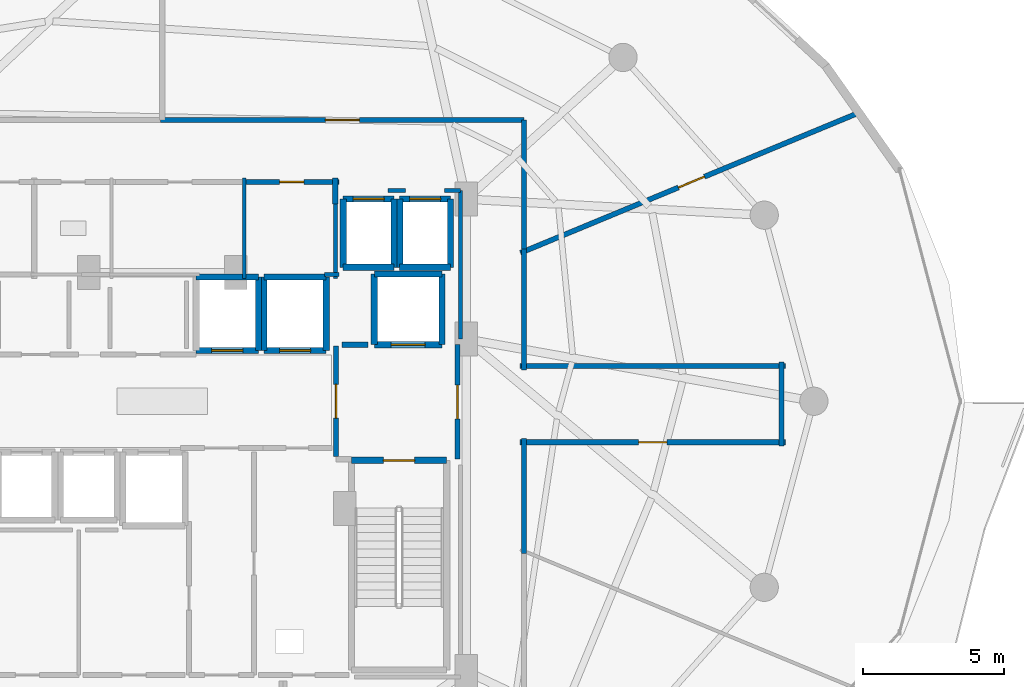
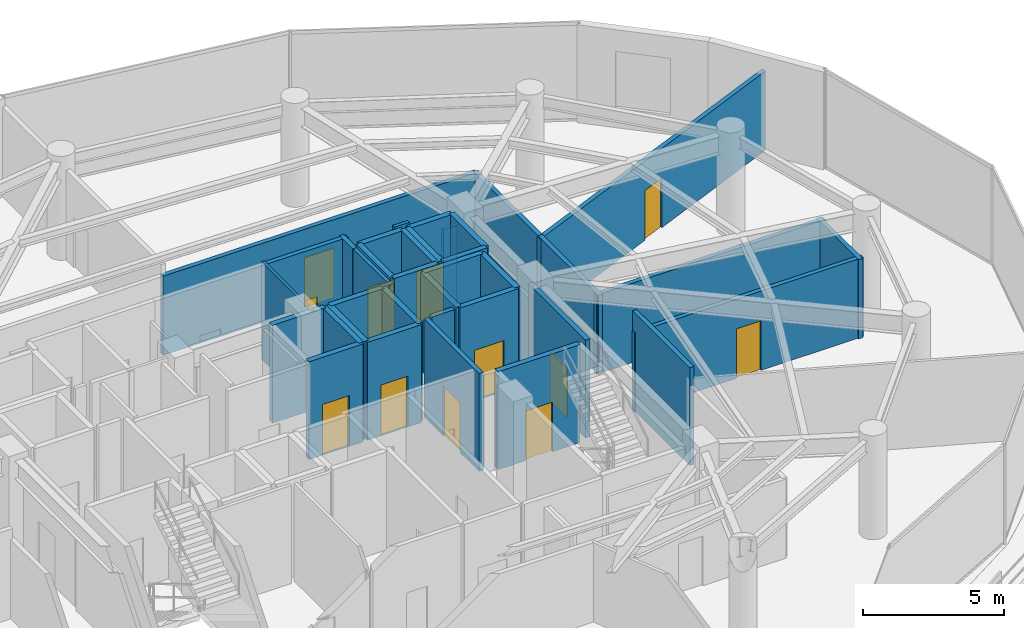
# One storey, part 26 of 31: 39 walls, 12 doors, 12 openings.
"""IFC4 building model written with IfcOpenShell, lengths in metres."""

import ifcopenshell
import ifcopenshell.guid

model = None  # the IFC model being written
_history = None  # IfcOwnerHistory: only IFC2X3 demands one
_inside = {}  # id of a spatial element -> (the spatial element, [elements in it])
_under = {}  # id of a project, library or spatial element -> (it, [spatial elements below it])
_declared = {}  # id of a project -> (the project, [libraries it declares])
_typed = {}  # id of a type object -> (the type object, [elements of that type])
_made_of = {}  # id of a material, layer set ... -> (it, [elements and type objects made of it])


def new_model(schema):
    """Start an empty IFC model of exactly this schema.

    Asked for "IFC4X3", IfcOpenShell would pick the latest addendum, in which some entities
    have other attributes; the version numbers below select the first issue.
    IFC2X3 requires an IfcOwnerHistory on every rooted entity: one is made here for all.
    """
    global model, _history
    if schema == "IFC4X3":
        model = ifcopenshell.file(schema_version=(4, 3, 0, 0))
    else:
        model = ifcopenshell.file(schema=schema)
    _inside.clear()
    _under.clear()
    _declared.clear()
    _typed.clear()
    _made_of.clear()
    _history = None
    if model.schema == "IFC2X3":
        org = make("IfcOrganization", Name="unknown")
        user = make(
            "IfcPersonAndOrganization",
            ThePerson=make("IfcPerson", FamilyName="unknown"),
            TheOrganization=org,
        )
        app = make(
            "IfcApplication",
            ApplicationDeveloper=org,
            Version="unknown",
            ApplicationFullName="unknown",
            ApplicationIdentifier="unknown",
        )
        _history = make(
            "IfcOwnerHistory",
            OwningUser=user,
            OwningApplication=app,
            ChangeAction="ADDED",
            CreationDate=0,
        )
    return model


def make(cls, **values):
    """One entity of the class cls with the attributes given. An attribute that is None is left unset."""
    return model.create_entity(
        cls, **{name: value for name, value in values.items() if value is not None}
    )


def rooted(cls, **values):
    """An entity with a GlobalId (a new one), such as an element, a storey or a relation."""
    return make(cls, GlobalId=ifcopenshell.guid.new(), OwnerHistory=_history, **values)


def si_unit(unit_type, name, prefix=None):
    """IfcSIUnit, for example si_unit("LENGTHUNIT", "METRE", prefix="MILLI")."""
    return make("IfcSIUnit", UnitType=unit_type, Prefix=prefix, Name=name)


def assignment(units):
    """IfcUnitAssignment: the units of a project."""
    return None if units is None else make("IfcUnitAssignment", Units=units)


def point(xyz):
    """IfcCartesianPoint."""
    return None if xyz is None else make("IfcCartesianPoint", Coordinates=xyz)


def direction(xyz):
    """IfcDirection."""
    return None if xyz is None else make("IfcDirection", DirectionRatios=xyz)


def frame(location, z_axis=None, x_axis=None):
    """IfcAxis2Placement3D, a coordinate frame: its origin and axes. An axis left out is left unset."""
    return make(
        "IfcAxis2Placement3D",
        Location=point(location),
        Axis=direction(z_axis),
        RefDirection=direction(x_axis),
    )


def frame_2d(location, x_axis=None):
    """IfcAxis2Placement2D, a coordinate frame in the plane: its origin and x axis."""
    return make(
        "IfcAxis2Placement2D", Location=point(location), RefDirection=direction(x_axis)
    )


def origin():
    """The frame at (0, 0, 0) with its axes left unset."""
    return frame((0.0, 0.0, 0.0))


def place(relative_to, where):
    """IfcLocalPlacement: puts the frame where relative to a parent placement (None: the world)."""
    return make(
        "IfcLocalPlacement", PlacementRelTo=relative_to, RelativePlacement=where
    )


def context(
    kind, dimensions, precision=None, world=None, true_north=None, identifier=None
):
    """IfcGeometricRepresentationContext, for example the 3D "Model" context."""
    return make(
        "IfcGeometricRepresentationContext",
        ContextIdentifier=identifier,
        ContextType=kind,
        CoordinateSpaceDimension=dimensions,
        Precision=precision,
        WorldCoordinateSystem=world,
        TrueNorth=true_north,
    )


def subcontext(parent, identifier, kind, view, scale=None):
    """IfcGeometricRepresentationSubContext, for example "Body" below "Model"."""
    return make(
        "IfcGeometricRepresentationSubContext",
        ContextIdentifier=identifier,
        ContextType=kind,
        ParentContext=parent,
        TargetScale=scale,
        TargetView=view,
    )


def project(units=None, contexts=None):
    """IfcProject with its units and contexts."""
    return rooted(
        "IfcProject",
        Name="project",
        RepresentationContexts=contexts,
        UnitsInContext=assignment(units),
    )


def spatial(cls, under=None, at=None, **own):
    """A site, building, storey or space (cls), placed at a placement, below another one or the project."""
    s = rooted(cls, ObjectPlacement=at, **own)
    if under is not None:
        _under.setdefault(under.id(), (under, []))[1].append(s)
    return s


def profile(cls, at=None, kind="AREA", **sizes):
    """A parametric profile (cls). Its sizes go by their IFC names, for example OverallWidth=200.0."""
    return make(cls, ProfileType=kind, Position=at, **sizes)


def rectangle(**sizes):
    """IfcRectangleProfileDef."""
    return profile("IfcRectangleProfileDef", **sizes)


def extrude(swept, where, along, depth):
    """IfcExtrudedAreaSolid: the profile swept, set in the frame where, extruded along a direction by depth."""
    return make(
        "IfcExtrudedAreaSolid",
        SweptArea=swept,
        Position=where,
        ExtrudedDirection=direction(along),
        Depth=depth,
    )


def shape(context_of_items, identifier, shape_type, items):
    """IfcShapeRepresentation: the items that make up one representation, for example the "Body"."""
    return make(
        "IfcShapeRepresentation",
        ContextOfItems=context_of_items,
        RepresentationIdentifier=identifier,
        RepresentationType=shape_type,
        Items=items,
    )


def material(Name=None, Category=None):
    """IfcMaterial."""
    return make("IfcMaterial", Name=Name, Category=Category)


def layer(
    of_material, thickness, ventilated=None, Name=None, Category=None, Priority=None
):
    """IfcMaterialLayer: one layer of a wall or slab, of a material (None: an air gap)."""
    return make(
        "IfcMaterialLayer",
        Material=of_material,
        LayerThickness=thickness,
        IsVentilated=ventilated,
        Name=Name,
        Category=Category,
        Priority=Priority,
    )


def layer_set(layers, Name=None):
    """IfcMaterialLayerSet."""
    return make("IfcMaterialLayerSet", MaterialLayers=layers, LayerSetName=Name)


def made_of(thing, what):
    """Note that an element or type object is made of a material, layer set ...; save() writes the relation."""
    if what is not None:
        _made_of.setdefault(what.id(), (what, []))[1].append(thing)
    return thing


def type_object(cls, material=None, **own):
    """A type object (cls), such as IfcWallType, which elements share."""
    return made_of(rooted(cls, **own), material)


def element(
    cls,
    number,
    at=None,
    inside=None,
    cuts=None,
    type_object=None,
    material=None,
    context=None,
    identifier="Body",
    shape_type=None,
    held_by="IfcProductDefinitionShape",
    body=None,
    shapes=None,
    **own,
):
    """One element of the class cls, such as IfcWall. Its Tag is "e" and its number.

    at: its placement. inside: the storey or other place that contains it. cuts: it is an
    opening in that element (IfcRelVoidsElement). A single representation is given by context,
    identifier, shape_type and body (its items); several are given by shapes. held_by: the class
    of the entity that holds the representations. save() writes the other relations.
    """
    e = rooted(cls, Tag="e%d" % number, ObjectPlacement=at, **own)
    if body is not None:
        shapes = [shape(context, identifier, shape_type, body)]
    if shapes is not None:
        e.Representation = make(held_by, Representations=shapes)
    if inside is not None:
        _inside.setdefault(inside.id(), (inside, []))[1].append(e)
    if cuts is not None:
        rooted(
            "IfcRelVoidsElement", RelatingBuildingElement=cuts, RelatedOpeningElement=e
        )
    if type_object is not None:
        _typed.setdefault(type_object.id(), (type_object, []))[1].append(e)
    return made_of(e, material)


def fill(opening, filler):
    """IfcRelFillsElement: the door or window that sits in an opening."""
    return rooted(
        "IfcRelFillsElement",
        RelatingOpeningElement=opening,
        RelatedBuildingElement=filler,
    )


def aggregate(whole, parts):
    """IfcRelAggregates: a whole, such as a stair, and the parts it consists of."""
    return rooted("IfcRelAggregates", RelatingObject=whole, RelatedObjects=parts)


def save(model, path):
    """Write the relations noted so far, then the file.

    IfcRelAggregates (storeys below a building ...), IfcRelContainedInSpatialStructure (elements
    in a storey), IfcRelDefinesByType, IfcRelAssociatesMaterial and IfcRelDeclares: one each for
    every whole, place, type object, material and project.
    """
    for whole, parts in _under.values():
        aggregate(whole, parts)
    for where, things in _inside.values():
        rooted(
            "IfcRelContainedInSpatialStructure",
            RelatedElements=things,
            RelatingStructure=where,
        )
    for kind, things in _typed.values():
        rooted("IfcRelDefinesByType", RelatedObjects=things, RelatingType=kind)
    for what, things in _made_of.values():
        rooted("IfcRelAssociatesMaterial", RelatedObjects=things, RelatingMaterial=what)
    for by, libraries in _declared.values():
        rooted("IfcRelDeclares", RelatingContext=by, RelatedDefinitions=libraries)
    model.write(path)


model = new_model("IFC4")

# Units and contexts
model_context = context("Model", 3, precision=1e-05, world=origin(), true_north=direction((0.0, 1.0)))
body_context = subcontext(model_context, "Body", "Model", "MODEL_VIEW")
ifc_project = project(units=[si_unit("LENGTHUNIT", "METRE"), si_unit("AREAUNIT", "SQUARE_METRE"), si_unit("VOLUMEUNIT", "CUBIC_METRE"), si_unit("PLANEANGLEUNIT", "RADIAN"), si_unit("MASSUNIT", "GRAM", prefix="KILO")], contexts=[model_context])

# Site, building, storey
site_placement = place(None, origin())
site = spatial("IfcSite", under=ifc_project, at=site_placement, CompositionType="ELEMENT")
building_placement = place(site_placement, origin())
building = spatial("IfcBuilding", under=site, at=building_placement, Name="Vorneva Point Tower", CompositionType="ELEMENT")
storey_placement = place(building_placement, frame((0.0, 0.0, 174.60009765625)))
storey = spatial("IfcBuildingStorey", under=building, at=storey_placement, Name="L47", CompositionType="ELEMENT", Elevation=174.60009765625)

# Wall, opening, door
ifc_material_1 = material(Name="Concrete B60 (C50/60)", Category="concrete")
ifc_layer_1 = layer(ifc_material_1, 0.5)
ifc_layer_set_1 = layer_set([ifc_layer_1], Name="Concrete B60 (C50/60)")
wall_type_1 = type_object("IfcWallType", Name="WL-CORE-500", PredefinedType="SHEAR", material=ifc_layer_set_1)
wall_1_placement = place(storey_placement, frame((45.5, 28.0, 0.0), z_axis=(0.0, 0.0, 1.0), x_axis=(1.0, 0.0, 0.0)))
wall_1 = element("IfcWall", 1, at=wall_1_placement, inside=storey, type_object=wall_type_1, Name="L47 Lift FFL2 Shaft Wall -Y", PredefinedType="SHEAR", context=body_context, shape_type="SweptSolid", body=[
    extrude(rectangle(XDim=2.39990234375, YDim=0.219970703125, at=frame_2d((1.199951171875, 0.0))), origin(), (0.0, 0.0, 1.0), 4.239990234375),
])
opening_1_placement = place(wall_1_placement, frame((0.60009765625, 0.0, 0.0)))
opening_1 = element("IfcOpeningElement", 2, at=opening_1_placement, cuts=wall_1, Name="Opening LD-02", PredefinedType="OPENING", context=body_context, shape_type="SweptSolid", body=[
    extrude(rectangle(XDim=1.199951171875, YDim=2.199951171875, at=frame_2d((0.60009765625, 1.10009765625))), frame((0.0, 0.125, 0.0), z_axis=(0.0, -1.0, 0.0), x_axis=(1.0, 0.0, 0.0)), (0.0, 0.0, 1.0), 0.249755859375),
])
ifc_material_2 = material(Name="Brushed stainless steel S304", Category="steel")
door_type_1 = type_object("IfcDoorType", Name="LD-FIRE-1200", OperationType="SLIDING_TO_LEFT", PredefinedType="DOOR", material=ifc_material_2)
door_1_placement = place(opening_1_placement, origin())
door_1 = element("IfcDoor", 3, at=door_1_placement, inside=storey, type_object=door_type_1, Name="L47 Lift FFL2 Sliding Landing Door", OperationType="SLIDING_TO_LEFT", OverallHeight=2.199951171875, OverallWidth=1.199951171875, PredefinedType="DOOR", context=body_context, shape_type="SweptSolid", body=[
    extrude(rectangle(XDim=1.199951171875, YDim=2.199951171875, at=frame_2d((0.60009765625, 1.10009765625))), frame((0.0, 0.02490234375, 0.0), z_axis=(0.0, -1.0, 0.0), x_axis=(1.0, 0.0, 0.0)), (0.0, 0.0, 1.0), 0.050048828125),
])
fill(opening_1, door_1)

# Walls
wall_2_placement = place(storey_placement, frame((47.89990234375, 28.0, 0.0), z_axis=(0.0, 0.0, 1.0), x_axis=(0.0, 1.0, 0.0)))
element("IfcWall", 4, at=wall_2_placement, inside=storey, type_object=wall_type_1, Name="L47 Lift FFL2 Shaft Wall +X", PredefinedType="SHEAR", context=body_context, shape_type="SweptSolid", body=[
    extrude(rectangle(XDim=2.5, YDim=0.219970703125, at=frame_2d((1.25, 0.0))), origin(), (0.0, 0.0, 1.0), 4.239990234375),
])
wall_3_placement = place(storey_placement, frame((47.89990234375, 30.5, 0.0), z_axis=(0.0, 0.0, 1.0), x_axis=(-1.0, 0.0, 0.0)))
element("IfcWall", 5, at=wall_3_placement, inside=storey, type_object=wall_type_1, Name="L47 Lift FFL2 Shaft Wall +Y", PredefinedType="SHEAR", context=body_context, shape_type="SweptSolid", body=[
    extrude(rectangle(XDim=2.39990234375, YDim=0.219970703125, at=frame_2d((1.199951171875, 0.0))), origin(), (0.0, 0.0, 1.0), 4.239990234375),
])
wall_4_placement = place(storey_placement, frame((45.5, 30.5, 0.0), z_axis=(0.0, 0.0, 1.0), x_axis=(0.0, -1.0, 0.0)))
element("IfcWall", 6, at=wall_4_placement, inside=storey, type_object=wall_type_1, Name="L47 Lift FFL2 Shaft Wall -X", PredefinedType="SHEAR", context=body_context, shape_type="SweptSolid", body=[
    extrude(rectangle(XDim=2.5, YDim=0.219970703125, at=frame_2d((1.25, 0.0))), origin(), (0.0, 0.0, 1.0), 4.239990234375),
])
ifc_material_3 = material(Name="Fire-rated acoustic gypsum stud partition", Category="gypsum")
ifc_layer_2 = layer(ifc_material_3, 0.110107421875)
ifc_layer_set_2 = layer_set([ifc_layer_2], Name="Fire-rated acoustic gypsum stud partition")
wall_type_2 = type_object("IfcWallType", Name="WL-PART-110", PredefinedType="PARTITIONING", material=ifc_layer_set_2)
wall_5_placement = place(storey_placement, frame((40.89990234375, 30.340087890625, 0.0), z_axis=(0.0, 0.0, 1.0), x_axis=(0.0, 1.0, 0.0)))
element("IfcWall", 7, at=wall_5_placement, inside=storey, type_object=wall_type_2, Name="L47 Interior Partition 021", PredefinedType="PARTITIONING", context=body_context, shape_type="SweptSolid", body=[
    extrude(rectangle(XDim=3.559814453125, YDim=0.110107421875, at=frame_2d((1.77978515625, 0.0))), origin(), (0.0, 0.0, 1.0), 4.239990234375),
])
ifc_layer_3 = layer(ifc_material_3, 0.139892578125)
ifc_layer_set_3 = layer_set([ifc_layer_3], Name="Fire-rated acoustic gypsum stud partition")
wall_type_3 = type_object("IfcWallType", Name="WL-PART-140", PredefinedType="PARTITIONING", material=ifc_layer_set_3)
wall_6_placement = place(storey_placement, frame((43.735107421875, 30.47998046875, 0.0), z_axis=(0.0, 0.0, 1.0), x_axis=(1.0, 0.0, 0.0)))
element("IfcWall", 8, at=wall_6_placement, inside=storey, type_object=wall_type_3, Name="L47 Interior Closure Partition 057", PredefinedType="PARTITIONING", context=body_context, shape_type="SweptSolid", body=[
    extrude(rectangle(XDim=0.52490234375, YDim=0.139892578125, at=frame_2d((0.262451171875, 0.0))), origin(), (0.0, 0.0, 1.0), 4.239990234375),
])
wall_7_placement = place(storey_placement, frame((44.1201171875, 30.340087890625, 0.0), z_axis=(0.0, 0.0, 1.0), x_axis=(0.0, 1.0, 0.0)))
element("IfcWall", 9, at=wall_7_placement, inside=storey, type_object=wall_type_3, Name="L47 Interior Closure Partition 058", PredefinedType="PARTITIONING", context=body_context, shape_type="SweptSolid", body=[
    extrude(rectangle(XDim=2.659912109375, YDim=0.139892578125, at=frame_2d((1.330078125, 0.0))), origin(), (0.0, 0.0, 1.0), 4.239990234375),
])
wall_8_placement = place(storey_placement, frame((48.550048828125, 28.196044921875, 0.0), z_axis=(0.0, 0.0, 1.0), x_axis=(0.0, 1.0, 0.0)))
element("IfcWall", 10, at=wall_8_placement, inside=storey, type_object=wall_type_3, Name="L47 Interior Closure Partition 066", PredefinedType="PARTITIONING", context=body_context, shape_type="SweptSolid", body=[
    extrude(rectangle(XDim=5.25390625, YDim=0.139892578125, at=frame_2d((2.626953125, 0.0))), origin(), (0.0, 0.0, 1.0), 3.431884765625),
])
wall_9_placement = place(storey_placement, frame((48.550048828125, 33.449951171875, 0.0), z_axis=(0.0, 0.0, 1.0), x_axis=(-1.0, 0.0, 0.0)))
element("IfcWall", 11, at=wall_9_placement, inside=storey, type_object=wall_type_3, Name="L47 Interior Closure Partition 067", PredefinedType="PARTITIONING", context=body_context, shape_type="SweptSolid", body=[
    extrude(rectangle(XDim=0.55908203125, YDim=0.139892578125, at=frame_2d((0.279541015625, 0.0))), origin(), (0.0, 0.0, 1.0), 3.431884765625),
])
wall_10_placement = place(storey_placement, frame((46.60888671875, 33.449951171875, 0.0), z_axis=(0.0, 0.0, 1.0), x_axis=(-1.0, 0.0, 0.0)))
element("IfcWall", 12, at=wall_10_placement, inside=storey, type_object=wall_type_3, Name="L47 Interior Closure Partition 068", PredefinedType="PARTITIONING", context=body_context, shape_type="SweptSolid", body=[
    extrude(rectangle(XDim=0.617919921875, YDim=0.139892578125, at=frame_2d((0.30908203125, 0.0))), origin(), (0.0, 0.0, 1.0), 4.239990234375),
])

# Wall, opening, door
ifc_material_4 = material(Name="Autoclaved aerated concrete blockwork", Category="masonry")
ifc_layer_4 = layer(ifc_material_4, 0.179931640625)
ifc_layer_set_4 = layer_set([ifc_layer_4], Name="Autoclaved aerated concrete blockwork")
wall_type_4 = type_object("IfcWallType", Name="WL-PART-180", PredefinedType="PARTITIONING", material=ifc_layer_set_4)
wall_11_placement = place(storey_placement, frame((44.14990234375, 27.955078125, 0.0), z_axis=(0.0, 0.0, 1.0), x_axis=(0.0, -1.0, 0.0)))
wall_11 = element("IfcWall", 13, at=wall_11_placement, inside=storey, type_object=wall_type_4, Name="L47 Interior Partition 003", PredefinedType="PARTITIONING", context=body_context, shape_type="SweptSolid", body=[
    extrude(rectangle(XDim=3.91015625, YDim=0.179931640625, at=frame_2d((1.955078125, 0.0))), origin(), (0.0, 0.0, 1.0), 4.239990234375),
])
opening_2_placement = place(wall_11_placement, frame((1.35498046875, 0.0, 0.0)))
opening_2 = element("IfcOpeningElement", 14, at=opening_2_placement, cuts=wall_11, Name="Opening FD-02", PredefinedType="OPENING", context=body_context, shape_type="SweptSolid", body=[
    extrude(rectangle(XDim=1.199951171875, YDim=2.14990234375, at=frame_2d((0.60009765625, 1.074951171875))), frame((0.0, 0.10498046875, 0.0), z_axis=(0.0, -1.0, 0.0), x_axis=(1.0, 0.0, 0.0)), (0.0, 0.0, 1.0), 0.209716796875),
])
ifc_material_5 = material(Name="Fire-rated powder-coated steel", Category="steel")
door_type_2 = type_object("IfcDoorType", Name="DR-FFL-1200", OperationType="NOTDEFINED", PredefinedType="DOOR", material=ifc_material_5)
door_2_placement = place(opening_2_placement, origin())
door_2 = element("IfcDoor", 15, at=door_2_placement, inside=storey, type_object=door_type_2, Name="L47 Door East Firefighting Lobby / Central Lift Lobby", OperationType="SINGLE_SWING_LEFT", OverallHeight=2.14990234375, OverallWidth=1.199951171875, PredefinedType="DOOR", context=body_context, shape_type="SweptSolid", body=[
    extrude(rectangle(XDim=1.199951171875, YDim=2.14990234375, at=frame_2d((0.60009765625, 1.074951171875))), frame((0.0, 0.02490234375, 0.0), z_axis=(0.0, -1.0, 0.0), x_axis=(1.0, 0.0, 0.0)), (0.0, 0.0, 1.0), 0.050048828125),
])
fill(opening_2, door_2)

wall_12_placement = place(storey_placement, frame((48.449951171875, 23.949951171875, 0.0), z_axis=(0.0, 0.0, 1.0), x_axis=(0.0, 1.0, 0.0)))
wall_12 = element("IfcWall", 16, at=wall_12_placement, inside=storey, type_object=wall_type_4, Name="L47 Interior Partition 005", PredefinedType="PARTITIONING", context=body_context, shape_type="SweptSolid", body=[
    extrude(rectangle(XDim=4.050048828125, YDim=0.179931640625, at=frame_2d((2.02490234375, 0.0))), origin(), (0.0, 0.0, 1.0), 4.239990234375),
])
opening_3_placement = place(wall_12_placement, frame((1.425048828125, 0.0, 0.0)))
opening_3 = element("IfcOpeningElement", 17, at=opening_3_placement, cuts=wall_12, Name="Opening FD-02", PredefinedType="OPENING", context=body_context, shape_type="SweptSolid", body=[
    extrude(rectangle(XDim=1.199951171875, YDim=2.14990234375, at=frame_2d((0.60009765625, 1.074951171875))), frame((0.0, 0.10498046875, 0.0), z_axis=(0.0, -1.0, 0.0), x_axis=(1.0, 0.0, 0.0)), (0.0, 0.0, 1.0), 0.209716796875),
])
door_3_placement = place(opening_3_placement, origin())
door_3 = element("IfcDoor", 18, at=door_3_placement, inside=storey, type_object=door_type_2, Name="L47 Door East Firefighting Lobby / L47 Circulation Corridor", OperationType="SINGLE_SWING_LEFT", OverallHeight=2.14990234375, OverallWidth=1.199951171875, PredefinedType="DOOR", context=body_context, shape_type="SweptSolid", body=[
    extrude(rectangle(XDim=1.199951171875, YDim=2.14990234375, at=frame_2d((0.60009765625, 1.074951171875))), frame((0.0, 0.02490234375, 0.0), z_axis=(0.0, -1.0, 0.0), x_axis=(1.0, 0.0, 0.0)), (0.0, 0.0, 1.0), 0.050048828125),
])
fill(opening_3, door_3)

wall_13_placement = place(storey_placement, frame((44.260009765625, 33.760009765625, 0.0), z_axis=(0.0, 0.0, 1.0), x_axis=(-1.0, 0.0, 0.0)))
wall_13 = element("IfcWall", 19, at=wall_13_placement, inside=storey, type_object=wall_type_4, Name="L47 Interior Partition 024", PredefinedType="PARTITIONING", context=body_context, shape_type="SweptSolid", body=[
    extrude(rectangle(XDim=3.360107421875, YDim=0.179931640625, at=frame_2d((1.68017578125, 0.0))), origin(), (0.0, 0.0, 1.0), 4.239990234375),
])
opening_4_placement = place(wall_13_placement, frame((1.2548828125, 0.0, 0.0)))
opening_4 = element("IfcOpeningElement", 20, at=opening_4_placement, cuts=wall_13, Name="Opening ID-02", PredefinedType="OPENING", context=body_context, shape_type="SweptSolid", body=[
    extrude(rectangle(XDim=0.85009765625, YDim=2.10009765625, at=frame_2d((0.425048828125, 1.050048828125))), frame((0.0, 0.10498046875, 0.0), z_axis=(0.0, -1.0, 0.0), x_axis=(1.0, 0.0, 0.0)), (0.0, 0.0, 1.0), 0.209716796875),
])
ifc_material_6 = material(Name="Engineered oak fire-rated door leaf", Category="wood")
door_type_3 = type_object("IfcDoorType", Name="DR-BATH-850", OperationType="NOTDEFINED", PredefinedType="DOOR", material=ifc_material_6)
door_4_placement = place(opening_4_placement, origin())
door_4 = element("IfcDoor", 21, at=door_4_placement, inside=storey, type_object=door_type_3, Name="L47 Door Accessible WC / L47 Circulation Corridor", OperationType="SINGLE_SWING_RIGHT", OverallHeight=2.10009765625, OverallWidth=0.85009765625, PredefinedType="DOOR", context=body_context, shape_type="SweptSolid", body=[
    extrude(rectangle(XDim=0.85009765625, YDim=2.10009765625, at=frame_2d((0.425048828125, 1.050048828125))), frame((0.0, 0.02490234375, 0.0), z_axis=(0.0, -1.0, 0.0), x_axis=(1.0, 0.0, 0.0)), (0.0, 0.0, 1.0), 0.050048828125),
])
fill(opening_4, door_4)

# Walls
wall_14_placement = place(storey_placement, frame((44.1201171875, 32.969970703125, 0.0), z_axis=(0.0, 0.0, 1.0), x_axis=(0.0, 1.0, 0.0)))
element("IfcWall", 22, at=wall_14_placement, inside=storey, type_object=wall_type_4, Name="L47 Interior Partition 025", PredefinedType="PARTITIONING", context=body_context, shape_type="SweptSolid", body=[
    extrude(rectangle(XDim=0.929931640625, YDim=0.179931640625, at=frame_2d((0.46484375, 0.0))), origin(), (0.0, 0.0, 1.0), 4.239990234375),
])
wall_15_placement = place(storey_placement, frame((50.800048828125, 31.241943359375, 0.0), z_axis=(0.0, 0.0, 1.0), x_axis=(0.0, 1.0, 0.0)))
element("IfcWall", 23, at=wall_15_placement, inside=storey, type_object=wall_type_4, Name="L47 Interior Partition 029", PredefinedType="PARTITIONING", context=body_context, shape_type="SweptSolid", body=[
    extrude(rectangle(XDim=4.7080078125, YDim=0.179931640625, at=frame_2d((2.35400390625, 0.0))), origin(), (0.0, 0.0, 1.0), 3.431884765625),
])

# Wall, opening, door
wall_16_placement = place(storey_placement, frame((50.800048828125, 35.949951171875, 0.0), z_axis=(0.0, 0.0, 1.0), x_axis=(-1.0, 0.0, 0.0)))
wall_16 = element("IfcWall", 24, at=wall_16_placement, inside=storey, type_object=wall_type_4, Name="L47 Interior Partition 030", PredefinedType="PARTITIONING", context=body_context, shape_type="SweptSolid", body=[
    extrude(rectangle(XDim=12.860107421875, YDim=0.179931640625, at=frame_2d((6.43017578125, 0.0))), origin(), (0.0, 0.0, 1.0), 3.431884765625),
])
opening_5_placement = place(wall_16_placement, frame((5.830078125, 0.0, 0.0)))
opening_5 = element("IfcOpeningElement", 25, at=opening_5_placement, cuts=wall_16, Name="Opening FD-02", PredefinedType="OPENING", context=body_context, shape_type="SweptSolid", body=[
    extrude(rectangle(XDim=1.199951171875, YDim=2.14990234375, at=frame_2d((0.60009765625, 1.074951171875))), frame((0.0, 0.10498046875, 0.0), z_axis=(0.0, -1.0, 0.0), x_axis=(1.0, 0.0, 0.0)), (0.0, 0.0, 1.0), 0.209716796875),
])
door_5_placement = place(opening_5_placement, origin())
door_5 = element("IfcDoor", 26, at=door_5_placement, inside=storey, type_object=door_type_2, Name="L47 Door L47 Circulation Corridor / Transfer Sky Lobby L47", OperationType="SINGLE_SWING_LEFT", OverallHeight=2.14990234375, OverallWidth=1.199951171875, PredefinedType="DOOR", context=body_context, shape_type="SweptSolid", body=[
    extrude(rectangle(XDim=1.199951171875, YDim=2.14990234375, at=frame_2d((0.60009765625, 1.074951171875))), frame((0.0, 0.02490234375, 0.0), z_axis=(0.0, -1.0, 0.0), x_axis=(1.0, 0.0, 0.0)), (0.0, 0.0, 1.0), 0.050048828125),
])
fill(opening_5, door_5)

# Wall
wall_17_placement = place(storey_placement, frame((50.800048828125, 20.617919921875, 0.0), z_axis=(0.0, 0.0, 1.0), x_axis=(0.0, 1.0, 0.0)))
element("IfcWall", 27, at=wall_17_placement, inside=storey, type_object=wall_type_4, Name="L47 Interior Partition 042", PredefinedType="PARTITIONING", context=body_context, shape_type="SweptSolid", body=[
    extrude(rectangle(XDim=4.072021484375, YDim=0.179931640625, at=frame_2d((2.0361328125, 0.0))), origin(), (0.0, 0.0, 1.0), 4.239990234375),
])

# Wall, opening, door
wall_18_placement = place(storey_placement, frame((50.659912109375, 24.550048828125, 0.0), z_axis=(0.0, 0.0, 1.0), x_axis=(1.0, 0.0, 0.0)))
wall_18 = element("IfcWall", 28, at=wall_18_placement, inside=storey, type_object=wall_type_4, Name="L47 Interior Partition 043", PredefinedType="PARTITIONING", context=body_context, shape_type="SweptSolid", body=[
    extrude(rectangle(XDim=9.380126953125, YDim=0.179931640625, at=frame_2d((4.68994140625, 0.0))), origin(), (0.0, 0.0, 1.0), 3.431884765625),
])
opening_6_placement = place(wall_18_placement, frame((4.18994140625, 0.0, 0.0)))
opening_6 = element("IfcOpeningElement", 29, at=opening_6_placement, cuts=wall_18, Name="Opening UD-01", PredefinedType="OPENING", context=body_context, shape_type="SweptSolid", body=[
    extrude(rectangle(XDim=1.0, YDim=2.14990234375, at=frame_2d((0.5, 1.074951171875))), frame((0.0, 0.10498046875, 0.0), z_axis=(0.0, -1.0, 0.0), x_axis=(1.0, 0.0, 0.0)), (0.0, 0.0, 1.0), 0.209716796875),
])
door_type_4 = type_object("IfcDoorType", Name="DR-UNIT-1000", OperationType="NOTDEFINED", PredefinedType="DOOR", material=ifc_material_6)
door_6_placement = place(opening_6_placement, origin())
door_6 = element("IfcDoor", 30, at=door_6_placement, inside=storey, type_object=door_type_4, Name="L47 Door L47 Circulation Corridor / Concierge Pantry L47", OperationType="SINGLE_SWING_RIGHT", OverallHeight=2.14990234375, OverallWidth=1.0, PredefinedType="DOOR", context=body_context, shape_type="SweptSolid", body=[
    extrude(rectangle(XDim=1.0, YDim=2.14990234375, at=frame_2d((0.5, 1.074951171875))), frame((0.0, 0.02490234375, 0.0), z_axis=(0.0, -1.0, 0.0), x_axis=(1.0, 0.0, 0.0)), (0.0, 0.0, 1.0), 0.050048828125),
])
fill(opening_6, door_6)

# Walls
wall_19_placement = place(storey_placement, frame((59.89990234375, 24.409912109375, 0.0), z_axis=(0.0, 0.0, 1.0), x_axis=(0.0, 1.0, 0.0)))
element("IfcWall", 31, at=wall_19_placement, inside=storey, type_object=wall_type_4, Name="L47 Interior Partition 044", PredefinedType="PARTITIONING", context=body_context, shape_type="SweptSolid", body=[
    extrude(rectangle(XDim=2.97998046875, YDim=0.179931640625, at=frame_2d((1.489990234375, 0.0))), origin(), (0.0, 0.0, 1.0), 3.431884765625),
])
wall_20_placement = place(storey_placement, frame((60.0400390625, 27.25, 0.0), z_axis=(0.0, 0.0, 1.0), x_axis=(-1.0, 0.0, 0.0)))
element("IfcWall", 32, at=wall_20_placement, inside=storey, type_object=wall_type_4, Name="L47 Interior Partition 045", PredefinedType="PARTITIONING", context=body_context, shape_type="SweptSolid", body=[
    extrude(rectangle(XDim=9.380126953125, YDim=0.179931640625, at=frame_2d((4.68994140625, 0.0))), origin(), (0.0, 0.0, 1.0), 3.431884765625),
])
wall_21_placement = place(storey_placement, frame((50.800048828125, 27.110107421875, 0.0), z_axis=(0.0, 0.0, 1.0), x_axis=(0.0, 1.0, 0.0)))
element("IfcWall", 33, at=wall_21_placement, inside=storey, type_object=wall_type_4, Name="L47 Interior Partition 046", PredefinedType="PARTITIONING", context=body_context, shape_type="SweptSolid", body=[
    extrude(rectangle(XDim=4.27197265625, YDim=0.179931640625, at=frame_2d((2.135986328125, 0.0))), origin(), (0.0, 0.0, 1.0), 3.431884765625),
])

# Wall, opening, door
wall_22_placement = place(storey_placement, frame((50.670654296875, 31.248291015625, 0.0), z_axis=(0.0, 0.0, 1.0), x_axis=(0.923884589978, 0.382671222332, 0.0)))
wall_22 = element("IfcWall", 34, at=wall_22_placement, inside=storey, type_object=wall_type_4, Name="L47 Interior Partition 048", PredefinedType="PARTITIONING", context=body_context, shape_type="SweptSolid", body=[
    extrude(rectangle(XDim=13.095458984375, YDim=0.179931640625, at=frame_2d((6.5478515625, 0.0))), origin(), (0.0, 0.0, 1.0), 3.431884765625),
])
opening_7_placement = place(wall_22_placement, frame((6.047607421875, 0.0, 0.0)))
opening_7 = element("IfcOpeningElement", 35, at=opening_7_placement, cuts=wall_22, Name="Opening UD-01", PredefinedType="OPENING", context=body_context, shape_type="SweptSolid", body=[
    extrude(rectangle(XDim=1.0, YDim=2.14990234375, at=frame_2d((0.5, 1.074951171875))), frame((0.0, 0.10498046875, 0.0), z_axis=(0.0, -1.0, 0.0), x_axis=(1.0, 0.0, 0.0)), (0.0, 0.0, 1.0), 0.209716796875),
])
door_7_placement = place(opening_7_placement, origin())
door_7 = element("IfcDoor", 36, at=door_7_placement, inside=storey, type_object=door_type_4, Name="L47 Door Transfer Sky Lobby L47 / Concierge Pantry L47", OperationType="SINGLE_SWING_RIGHT", OverallHeight=2.14990234375, OverallWidth=1.0, PredefinedType="DOOR", context=body_context, shape_type="SweptSolid", body=[
    extrude(rectangle(XDim=1.0, YDim=2.14990234375, at=frame_2d((0.5, 1.074951171875))), frame((0.0, 0.02490234375, 0.0), z_axis=(0.0, -1.0, 0.0), x_axis=(1.0, 0.0, 0.0)), (0.0, 0.0, 1.0), 0.050048828125),
])
fill(opening_7, door_7)

# Wall
wall_23_placement = place(storey_placement, frame((45.280029296875, 28.0, 0.0), z_axis=(0.0, 0.0, 1.0), x_axis=(-1.0, 0.0, 0.0)))
element("IfcWall", 37, at=wall_23_placement, inside=storey, type_object=wall_type_4, Name="L47 Interior Closure Partition 054", PredefinedType="PARTITIONING", context=body_context, shape_type="SweptSolid", body=[
    extrude(rectangle(XDim=0.9150390625, YDim=0.179931640625, at=frame_2d((0.45751953125, 0.0))), origin(), (0.0, 0.0, 1.0), 4.239990234375),
])

# Wall, opening, door
ifc_material_7 = material(Name="Concrete B50 (C40/50)", Category="concrete")
ifc_layer_5 = layer(ifc_material_7, 0.219970703125)
ifc_layer_set_5 = layer_set([ifc_layer_5], Name="Concrete B50 (C40/50)")
wall_type_5 = type_object("IfcWallType", Name="WL-SHFT-220", PredefinedType="SOLIDWALL", material=ifc_layer_set_5)
wall_24_placement = place(storey_placement, frame((44.68994140625, 23.909912109375, 0.0), z_axis=(0.0, 0.0, 1.0), x_axis=(1.0, 0.0, 0.0)))
wall_24 = element("IfcWall", 38, at=wall_24_placement, inside=storey, type_object=wall_type_5, Name="L47 Exit Stair ST2 Shaft Wall near", PredefinedType="SOLIDWALL", context=body_context, shape_type="SweptSolid", body=[
    extrude(rectangle(XDim=3.3701171875, YDim=0.219970703125, at=frame_2d((1.68505859375, 0.0))), origin(), (0.0, 0.0, 1.0), 4.239990234375),
])
opening_8_placement = place(wall_24_placement, frame((1.135009765625, 0.0, 0.0)))
opening_8 = element("IfcOpeningElement", 39, at=opening_8_placement, cuts=wall_24, Name="Opening FD-01", PredefinedType="OPENING", context=body_context, shape_type="SweptSolid", body=[
    extrude(rectangle(XDim=1.10009765625, YDim=2.14990234375, at=frame_2d((0.550048828125, 1.074951171875))), frame((0.0, 0.125, 0.0), z_axis=(0.0, -1.0, 0.0), x_axis=(1.0, 0.0, 0.0)), (0.0, 0.0, 1.0), 0.249755859375),
])
door_type_5 = type_object("IfcDoorType", Name="DR-STAIR-1100", OperationType="NOTDEFINED", PredefinedType="DOOR", material=ifc_material_5)
door_8_placement = place(opening_8_placement, origin())
door_8 = element("IfcDoor", 40, at=door_8_placement, inside=storey, type_object=door_type_5, Name="L47 Exit Stair ST2 Fire Door", OperationType="SINGLE_SWING_RIGHT", OverallHeight=2.14990234375, OverallWidth=1.10009765625, PredefinedType="DOOR", context=body_context, shape_type="SweptSolid", body=[
    extrude(rectangle(XDim=1.10009765625, YDim=2.14990234375, at=frame_2d((0.550048828125, 1.074951171875))), frame((0.0, 0.02490234375, 0.0), z_axis=(0.0, -1.0, 0.0), x_axis=(1.0, 0.0, 0.0)), (0.0, 0.0, 1.0), 0.050048828125),
])
fill(opening_8, door_8)

wall_25_placement = place(storey_placement, frame((39.199951171875, 27.800048828125, 0.0), z_axis=(0.0, 0.0, 1.0), x_axis=(1.0, 0.0, 0.0)))
wall_25 = element("IfcWall", 41, at=wall_25_placement, inside=storey, type_object=wall_type_5, Name="L47 Lift PL7 Shaft Wall -Y", PredefinedType="SOLIDWALL", context=body_context, shape_type="SweptSolid", body=[
    extrude(rectangle(XDim=2.199951171875, YDim=0.219970703125, at=frame_2d((1.10009765625, 0.0))), origin(), (0.0, 0.0, 1.0), 4.239990234375),
])
opening_9_placement = place(wall_25_placement, frame((0.550048828125, 0.0, 0.0)))
opening_9 = element("IfcOpeningElement", 42, at=opening_9_placement, cuts=wall_25, Name="Opening LD-01", PredefinedType="OPENING", context=body_context, shape_type="SweptSolid", body=[
    extrude(rectangle(XDim=1.10009765625, YDim=2.199951171875, at=frame_2d((0.550048828125, 1.10009765625))), frame((0.0, 0.125, 0.0), z_axis=(0.0, -1.0, 0.0), x_axis=(1.0, 0.0, 0.0)), (0.0, 0.0, 1.0), 0.249755859375),
])
door_type_6 = type_object("IfcDoorType", Name="LD-PASS-1100", OperationType="SLIDING_TO_LEFT", PredefinedType="DOOR", material=ifc_material_2)
door_9_placement = place(opening_9_placement, origin())
door_9 = element("IfcDoor", 43, at=door_9_placement, inside=storey, type_object=door_type_6, Name="L47 Lift PL7 Sliding Landing Door", OperationType="SLIDING_TO_LEFT", OverallHeight=2.199951171875, OverallWidth=1.10009765625, PredefinedType="DOOR", context=body_context, shape_type="SweptSolid", body=[
    extrude(rectangle(XDim=1.10009765625, YDim=2.199951171875, at=frame_2d((0.550048828125, 1.10009765625))), frame((0.0, 0.02490234375, 0.0), z_axis=(0.0, -1.0, 0.0), x_axis=(1.0, 0.0, 0.0)), (0.0, 0.0, 1.0), 0.050048828125),
])
fill(opening_9, door_9)

# Walls
wall_26_placement = place(storey_placement, frame((41.39990234375, 27.800048828125, 0.0), z_axis=(0.0, 0.0, 1.0), x_axis=(0.0, 1.0, 0.0)))
element("IfcWall", 44, at=wall_26_placement, inside=storey, type_object=wall_type_5, Name="L47 Lift PL7 Shaft Wall +X", PredefinedType="SOLIDWALL", context=body_context, shape_type="SweptSolid", body=[
    extrude(rectangle(XDim=2.599853515625, YDim=0.219970703125, at=frame_2d((1.2998046875, 0.0))), origin(), (0.0, 0.0, 1.0), 4.239990234375),
])
wall_27_placement = place(storey_placement, frame((41.39990234375, 30.39990234375, 0.0), z_axis=(0.0, 0.0, 1.0), x_axis=(-1.0, 0.0, 0.0)))
element("IfcWall", 45, at=wall_27_placement, inside=storey, type_object=wall_type_5, Name="L47 Lift PL7 Shaft Wall +Y", PredefinedType="SOLIDWALL", context=body_context, shape_type="SweptSolid", body=[
    extrude(rectangle(XDim=2.199951171875, YDim=0.219970703125, at=frame_2d((1.10009765625, 0.0))), origin(), (0.0, 0.0, 1.0), 4.239990234375),
])

# Wall, opening, door
wall_28_placement = place(storey_placement, frame((41.60009765625, 27.800048828125, 0.0), z_axis=(0.0, 0.0, 1.0), x_axis=(1.0, 0.0, 0.0)))
wall_28 = element("IfcWall", 46, at=wall_28_placement, inside=storey, type_object=wall_type_5, Name="L47 Lift PL8 Shaft Wall -Y", PredefinedType="SOLIDWALL", context=body_context, shape_type="SweptSolid", body=[
    extrude(rectangle(XDim=2.199951171875, YDim=0.219970703125, at=frame_2d((1.10009765625, 0.0))), origin(), (0.0, 0.0, 1.0), 4.239990234375),
])
opening_10_placement = place(wall_28_placement, frame((0.550048828125, 0.0, 0.0)))
opening_10 = element("IfcOpeningElement", 47, at=opening_10_placement, cuts=wall_28, Name="Opening LD-01", PredefinedType="OPENING", context=body_context, shape_type="SweptSolid", body=[
    extrude(rectangle(XDim=1.10009765625, YDim=2.199951171875, at=frame_2d((0.550048828125, 1.10009765625))), frame((0.0, 0.125, 0.0), z_axis=(0.0, -1.0, 0.0), x_axis=(1.0, 0.0, 0.0)), (0.0, 0.0, 1.0), 0.249755859375),
])
door_10_placement = place(opening_10_placement, origin())
door_10 = element("IfcDoor", 48, at=door_10_placement, inside=storey, type_object=door_type_6, Name="L47 Lift PL8 Sliding Landing Door", OperationType="SLIDING_TO_LEFT", OverallHeight=2.199951171875, OverallWidth=1.10009765625, PredefinedType="DOOR", context=body_context, shape_type="SweptSolid", body=[
    extrude(rectangle(XDim=1.10009765625, YDim=2.199951171875, at=frame_2d((0.550048828125, 1.10009765625))), frame((0.0, 0.02490234375, 0.0), z_axis=(0.0, -1.0, 0.0), x_axis=(1.0, 0.0, 0.0)), (0.0, 0.0, 1.0), 0.050048828125),
])
fill(opening_10, door_10)

# Walls
wall_29_placement = place(storey_placement, frame((43.800048828125, 27.800048828125, 0.0), z_axis=(0.0, 0.0, 1.0), x_axis=(0.0, 1.0, 0.0)))
element("IfcWall", 49, at=wall_29_placement, inside=storey, type_object=wall_type_5, Name="L47 Lift PL8 Shaft Wall +X", PredefinedType="SOLIDWALL", context=body_context, shape_type="SweptSolid", body=[
    extrude(rectangle(XDim=2.599853515625, YDim=0.219970703125, at=frame_2d((1.2998046875, 0.0))), origin(), (0.0, 0.0, 1.0), 4.239990234375),
])
wall_30_placement = place(storey_placement, frame((43.800048828125, 30.39990234375, 0.0), z_axis=(0.0, 0.0, 1.0), x_axis=(-1.0, 0.0, 0.0)))
element("IfcWall", 50, at=wall_30_placement, inside=storey, type_object=wall_type_5, Name="L47 Lift PL8 Shaft Wall +Y", PredefinedType="SOLIDWALL", context=body_context, shape_type="SweptSolid", body=[
    extrude(rectangle(XDim=2.199951171875, YDim=0.219970703125, at=frame_2d((1.10009765625, 0.0))), origin(), (0.0, 0.0, 1.0), 4.239990234375),
])
wall_31_placement = place(storey_placement, frame((41.60009765625, 30.39990234375, 0.0), z_axis=(0.0, 0.0, 1.0), x_axis=(0.0, -1.0, 0.0)))
element("IfcWall", 51, at=wall_31_placement, inside=storey, type_object=wall_type_5, Name="L47 Lift PL8 Shaft Wall -X", PredefinedType="SOLIDWALL", context=body_context, shape_type="SweptSolid", body=[
    extrude(rectangle(XDim=2.599853515625, YDim=0.219970703125, at=frame_2d((1.2998046875, 0.0))), origin(), (0.0, 0.0, 1.0), 4.239990234375),
])
wall_32_placement = place(storey_placement, frame((44.39990234375, 30.739990234375, 0.0), z_axis=(0.0, 0.0, 1.0), x_axis=(1.0, 0.0, 0.0)))
element("IfcWall", 52, at=wall_32_placement, inside=storey, type_object=wall_type_5, Name="L47 Lift EX1 Shaft Wall -Y", PredefinedType="SOLIDWALL", context=body_context, shape_type="SweptSolid", body=[
    extrude(rectangle(XDim=1.800048828125, YDim=0.219970703125, at=frame_2d((0.89990234375, 0.0))), origin(), (0.0, 0.0, 1.0), 4.239990234375),
])
wall_33_placement = place(storey_placement, frame((46.199951171875, 30.739990234375, 0.0), z_axis=(0.0, 0.0, 1.0), x_axis=(0.0, 1.0, 0.0)))
element("IfcWall", 53, at=wall_33_placement, inside=storey, type_object=wall_type_5, Name="L47 Lift EX1 Shaft Wall +X", PredefinedType="SOLIDWALL", context=body_context, shape_type="SweptSolid", body=[
    extrude(rectangle(XDim=2.419921875, YDim=0.219970703125, at=frame_2d((1.2099609375, 0.0))), origin(), (0.0, 0.0, 1.0), 4.239990234375),
])

# Wall, opening, door
wall_34_placement = place(storey_placement, frame((46.199951171875, 33.159912109375, 0.0), z_axis=(0.0, 0.0, 1.0), x_axis=(-1.0, 0.0, 0.0)))
wall_34 = element("IfcWall", 54, at=wall_34_placement, inside=storey, type_object=wall_type_5, Name="L47 Lift EX1 Shaft Wall +Y", PredefinedType="SOLIDWALL", context=body_context, shape_type="SweptSolid", body=[
    extrude(rectangle(XDim=1.800048828125, YDim=0.219970703125, at=frame_2d((0.89990234375, 0.0))), origin(), (0.0, 0.0, 1.0), 4.239990234375),
])
opening_11_placement = place(wall_34_placement, frame((0.35009765625, 0.0, 0.0)))
opening_11 = element("IfcOpeningElement", 55, at=opening_11_placement, cuts=wall_34, Name="Opening LD-01", PredefinedType="OPENING", context=body_context, shape_type="SweptSolid", body=[
    extrude(rectangle(XDim=1.10009765625, YDim=2.199951171875, at=frame_2d((0.550048828125, 1.10009765625))), frame((0.0, 0.125, 0.0), z_axis=(0.0, -1.0, 0.0), x_axis=(1.0, 0.0, 0.0)), (0.0, 0.0, 1.0), 0.249755859375),
])
door_11_placement = place(opening_11_placement, origin())
door_11 = element("IfcDoor", 56, at=door_11_placement, inside=storey, type_object=door_type_6, Name="L47 Lift EX1 Sliding Landing Door", OperationType="SLIDING_TO_LEFT", OverallHeight=2.199951171875, OverallWidth=1.10009765625, PredefinedType="DOOR", context=body_context, shape_type="SweptSolid", body=[
    extrude(rectangle(XDim=1.10009765625, YDim=2.199951171875, at=frame_2d((0.550048828125, 1.10009765625))), frame((0.0, 0.02490234375, 0.0), z_axis=(0.0, -1.0, 0.0), x_axis=(1.0, 0.0, 0.0)), (0.0, 0.0, 1.0), 0.050048828125),
])
fill(opening_11, door_11)

# Walls
wall_35_placement = place(storey_placement, frame((44.39990234375, 33.159912109375, 0.0), z_axis=(0.0, 0.0, 1.0), x_axis=(0.0, -1.0, 0.0)))
element("IfcWall", 57, at=wall_35_placement, inside=storey, type_object=wall_type_5, Name="L47 Lift EX1 Shaft Wall -X", PredefinedType="SOLIDWALL", context=body_context, shape_type="SweptSolid", body=[
    extrude(rectangle(XDim=2.419921875, YDim=0.219970703125, at=frame_2d((1.2099609375, 0.0))), origin(), (0.0, 0.0, 1.0), 4.239990234375),
])
wall_36_placement = place(storey_placement, frame((46.39990234375, 30.739990234375, 0.0), z_axis=(0.0, 0.0, 1.0), x_axis=(1.0, 0.0, 0.0)))
element("IfcWall", 58, at=wall_36_placement, inside=storey, type_object=wall_type_5, Name="L47 Lift EX2 Shaft Wall -Y", PredefinedType="SOLIDWALL", context=body_context, shape_type="SweptSolid", body=[
    extrude(rectangle(XDim=1.800048828125, YDim=0.219970703125, at=frame_2d((0.89990234375, 0.0))), origin(), (0.0, 0.0, 1.0), 4.239990234375),
])
wall_37_placement = place(storey_placement, frame((48.199951171875, 30.739990234375, 0.0), z_axis=(0.0, 0.0, 1.0), x_axis=(0.0, 1.0, 0.0)))
element("IfcWall", 59, at=wall_37_placement, inside=storey, type_object=wall_type_5, Name="L47 Lift EX2 Shaft Wall +X", PredefinedType="SOLIDWALL", context=body_context, shape_type="SweptSolid", body=[
    extrude(rectangle(XDim=2.419921875, YDim=0.219970703125, at=frame_2d((1.2099609375, 0.0))), origin(), (0.0, 0.0, 1.0), 4.239990234375),
])

# Wall, opening, door
wall_38_placement = place(storey_placement, frame((48.199951171875, 33.159912109375, 0.0), z_axis=(0.0, 0.0, 1.0), x_axis=(-1.0, 0.0, 0.0)))
wall_38 = element("IfcWall", 60, at=wall_38_placement, inside=storey, type_object=wall_type_5, Name="L47 Lift EX2 Shaft Wall +Y", PredefinedType="SOLIDWALL", context=body_context, shape_type="SweptSolid", body=[
    extrude(rectangle(XDim=1.800048828125, YDim=0.219970703125, at=frame_2d((0.89990234375, 0.0))), origin(), (0.0, 0.0, 1.0), 4.239990234375),
])
opening_12_placement = place(wall_38_placement, frame((0.35009765625, 0.0, 0.0)))
opening_12 = element("IfcOpeningElement", 61, at=opening_12_placement, cuts=wall_38, Name="Opening LD-01", PredefinedType="OPENING", context=body_context, shape_type="SweptSolid", body=[
    extrude(rectangle(XDim=1.10009765625, YDim=2.199951171875, at=frame_2d((0.550048828125, 1.10009765625))), frame((0.0, 0.125, 0.0), z_axis=(0.0, -1.0, 0.0), x_axis=(1.0, 0.0, 0.0)), (0.0, 0.0, 1.0), 0.249755859375),
])
door_12_placement = place(opening_12_placement, origin())
door_12 = element("IfcDoor", 62, at=door_12_placement, inside=storey, type_object=door_type_6, Name="L47 Lift EX2 Sliding Landing Door", OperationType="SLIDING_TO_LEFT", OverallHeight=2.199951171875, OverallWidth=1.10009765625, PredefinedType="DOOR", context=body_context, shape_type="SweptSolid", body=[
    extrude(rectangle(XDim=1.10009765625, YDim=2.199951171875, at=frame_2d((0.550048828125, 1.10009765625))), frame((0.0, 0.02490234375, 0.0), z_axis=(0.0, -1.0, 0.0), x_axis=(1.0, 0.0, 0.0)), (0.0, 0.0, 1.0), 0.050048828125),
])
fill(opening_12, door_12)

# Wall
wall_39_placement = place(storey_placement, frame((46.39990234375, 33.159912109375, 0.0), z_axis=(0.0, 0.0, 1.0), x_axis=(0.0, -1.0, 0.0)))
element("IfcWall", 63, at=wall_39_placement, inside=storey, type_object=wall_type_5, Name="L47 Lift EX2 Shaft Wall -X", PredefinedType="SOLIDWALL", context=body_context, shape_type="SweptSolid", body=[
    extrude(rectangle(XDim=2.419921875, YDim=0.219970703125, at=frame_2d((1.2099609375, 0.0))), origin(), (0.0, 0.0, 1.0), 4.239990234375),
])

save(model, "model.ifc")
